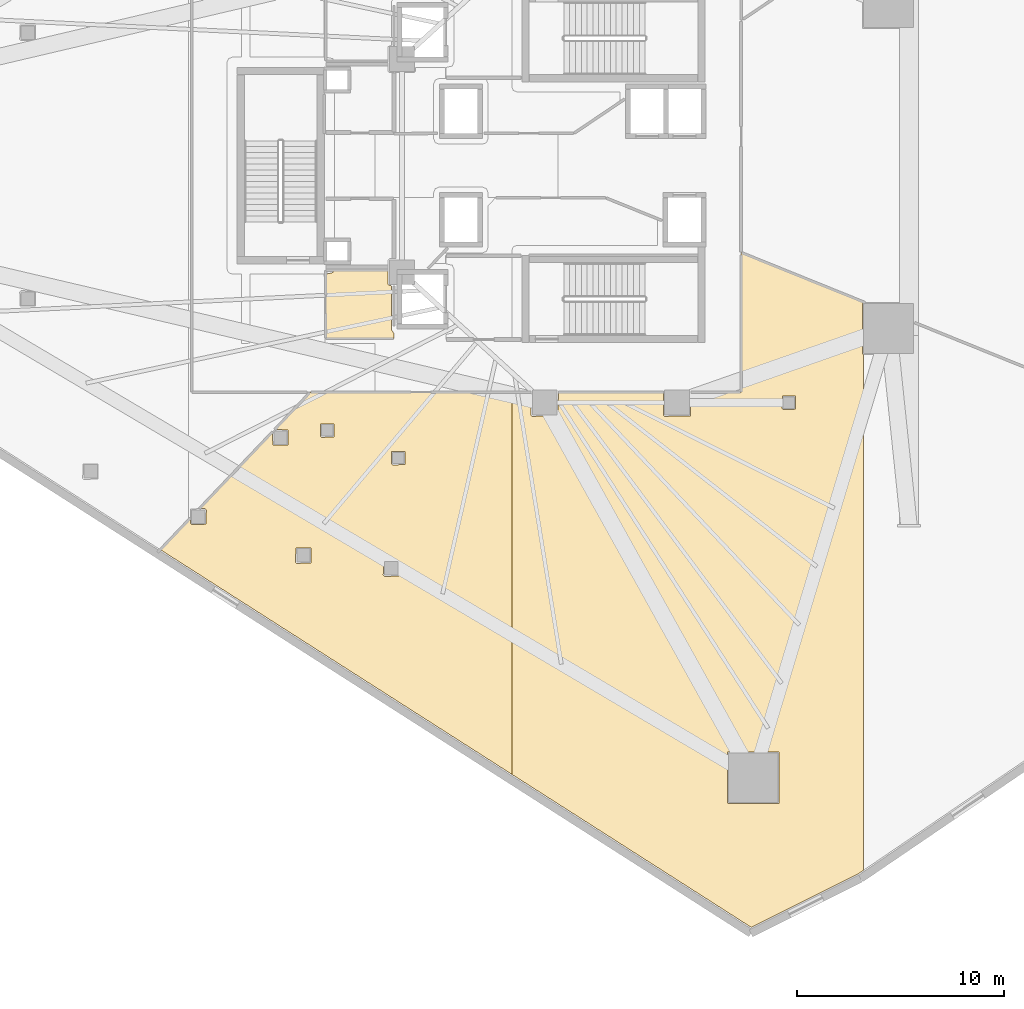
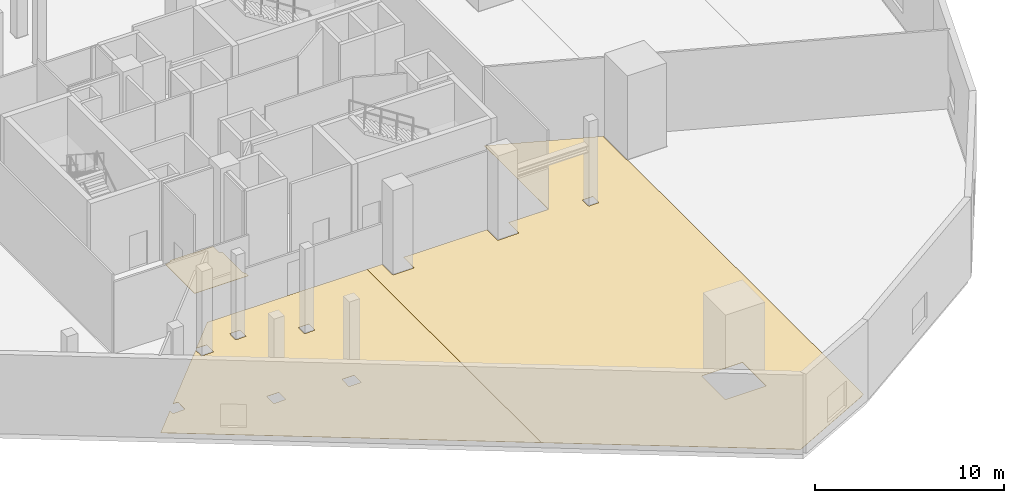
# One storey, part 30 of 36: 3 coverings.
"""IFC4 building model written with IfcOpenShell, lengths in metres."""

from ifc_helpers import new_model, si_unit, direction, frame, origin, place, context, subcontext, project, spatial, polyline, outline, extrude, material, layer, layer_set, type_object, element, save


model = new_model("IFC4")

# Units and contexts
model_context = context("Model", 3, precision=1e-05, world=origin(), true_north=direction((0.0, 1.0)))
body_context = subcontext(model_context, "Body", "Model", "MODEL_VIEW")
ifc_project = project(units=[si_unit("LENGTHUNIT", "METRE"), si_unit("AREAUNIT", "SQUARE_METRE"), si_unit("VOLUMEUNIT", "CUBIC_METRE"), si_unit("PLANEANGLEUNIT", "RADIAN"), si_unit("MASSUNIT", "GRAM", prefix="KILO")], contexts=[model_context])

# Site, building, storey
site_placement = place(None, origin())
site = spatial("IfcSite", under=ifc_project, at=site_placement, CompositionType="ELEMENT")
building_placement = place(site_placement, origin())
building = spatial("IfcBuilding", under=site, at=building_placement, Name="Qorvath Tower", CompositionType="ELEMENT")
storey_placement = place(building_placement, frame((0.0, 0.0, 27.0)))
storey = spatial("IfcBuildingStorey", under=building, at=storey_placement, Name="L05", CompositionType="ELEMENT", Elevation=27.0)

# Coverings
ifc_material_1 = material(Name="Low-VOC modular carpet tile", Category="textile")
ifc_layer_1 = layer(ifc_material_1, 0.014892578125)
ifc_layer_set_1 = layer_set([ifc_layer_1], Name="COV-FLOOR-CPT")
covering_type_1 = type_object("IfcCoveringType", Name="COV-FLOOR-CPT", PredefinedType="FLOORING", material=ifc_layer_set_1)
covering_1_placement = place(storey_placement, origin())
element("IfcCovering", 1, at=covering_1_placement, inside=storey, type_object=covering_type_1, Name="L05 Floor Finish 014", PredefinedType="FLOORING", context=body_context, shape_type="SweptSolid", body=[
    extrude(outline(polyline([(-25.179443359375, -29.413330078125), (-25.179443359375, -10.962890625), (-34.921630859375, -10.962890625), (-36.623779296875, -12.75048828125), (-35.997314453125, -12.76806640625), (-35.997314453125, -13.5029296875), (-36.732177734375, -13.5029296875), (-36.749755859375, -12.8828125), (-40.261474609375, -16.57080078125), (-40.007568359375, -16.57080078125), (-39.947509765625, -16.630859375), (-39.965087890625, -17.3232421875), (-40.657470703125, -17.3408203125), (-40.717529296875, -17.28076171875), (-40.717529296875, -17.049560546875), (-42.15771484375, -18.56201171875), (-25.179443359375, -29.413330078125)]), holes=[polyline([(-31.01220703125, -14.3994140625), (-30.99462890625, -13.806884765625), (-30.35986328125, -13.806884765625), (-30.35986328125, -14.441650390625), (-30.9521484375, -14.459228515625), (-31.01220703125, -14.3994140625)]), polyline([(-31.401123046875, -19.785400390625), (-31.383544921875, -19.093017578125), (-30.648681640625, -19.093017578125), (-30.648681640625, -19.827880859375), (-31.341064453125, -19.845458984375), (-31.401123046875, -19.785400390625)]), polyline([(-34.439208984375, -13.0673828125), (-34.421630859375, -12.47509765625), (-33.786865234375, -12.47509765625), (-33.786865234375, -13.10986328125), (-34.379150390625, -13.12744140625), (-34.439208984375, -13.0673828125)]), polyline([(-35.63671875, -19.154296875), (-35.619140625, -18.4619140625), (-34.88427734375, -18.4619140625), (-34.88427734375, -19.19677734375), (-35.57666015625, -19.21435546875), (-35.63671875, -19.154296875)])]), origin(), (0.0, 0.0, 1.0), 0.014892578125),
])
covering_2_placement = place(storey_placement, origin())
element("IfcCovering", 2, at=covering_2_placement, inside=storey, type_object=covering_type_1, Name="L05 Floor Finish 015", PredefinedType="FLOORING", context=body_context, shape_type="SweptSolid", body=[
    extrude(outline(polyline([(-17.860107421875, -12.050048828125), (-17.860107421875, -10.962890625), (-22.93994140625, -10.962890625), (-22.95751953125, -12.092529296875), (-24.199951171875, -12.110107421875), (-24.260009765625, -12.050048828125), (-24.260009765625, -10.962890625), (-25.179443359375, -10.962890625), (-25.179443359375, -29.413330078125), (-13.619873046875, -36.801513671875), (-8.46533203125, -34.224365234375), (-8.201171875, -34.044677734375), (-8.201171875, -9.122802734375), (-8.251953125, -9.072021484375), (-8.251953125, -6.672119140625), (-8.201171875, -6.642333984375), (-8.201171875, -6.591064453125), (-14.10693359375, -4.204833984375), (-14.1083984375, -10.96142578125), (-16.5400390625, -10.962890625), (-16.5576171875, -12.092529296875), (-17.800048828125, -12.110107421875), (-17.860107421875, -12.050048828125)]), holes=[polyline([(-12.135009765625, -11.72509765625), (-12.117431640625, -11.132568359375), (-11.482666015625, -11.132568359375), (-11.482666015625, -11.767333984375), (-12.074951171875, -11.784912109375), (-12.135009765625, -11.72509765625)]), polyline([(-14.780029296875, -30.76806640625), (-14.762451171875, -28.32568359375), (-12.277587890625, -28.32568359375), (-12.277587890625, -30.810546875), (-14.719970703125, -30.827880859375), (-14.780029296875, -30.76806640625)])]), origin(), (0.0, 0.0, 1.0), 0.014892578125),
])
ifc_material_2 = material(Name="Polished epoxy terrazzo flooring", Category="concrete")
ifc_layer_2 = layer(ifc_material_2, 0.02001953125)
ifc_layer_set_2 = layer_set([ifc_layer_2], Name="COV-FLOOR-TRZ")
covering_type_2 = type_object("IfcCoveringType", Name="COV-FLOOR-TRZ", PredefinedType="FLOORING", material=ifc_layer_set_2)
covering_3_placement = place(storey_placement, origin())
element("IfcCovering", 3, at=covering_3_placement, inside=storey, type_object=covering_type_2, Name="L05 Floor Finish 005", PredefinedType="FLOORING", context=body_context, shape_type="SweptSolid", body=[
    extrude(outline(polyline([(-31.159912109375, -5.054931640625), (-33.786865234375, -5.054931640625), (-33.833251953125, -5.166748046875), (-34.175048828125, -5.239990234375), (-34.175048828125, -8.344970703125), (-30.885009765625, -8.344970703125), (-30.885009765625, -8.108154296875), (-31.010009765625, -7.909912109375), (-31.010009765625, -5.81005859375), (-31.159912109375, -5.75), (-31.159912109375, -5.054931640625)])), origin(), (0.0, 0.0, 1.0), 0.014892578125),
])

save(model, "model.ifc")
